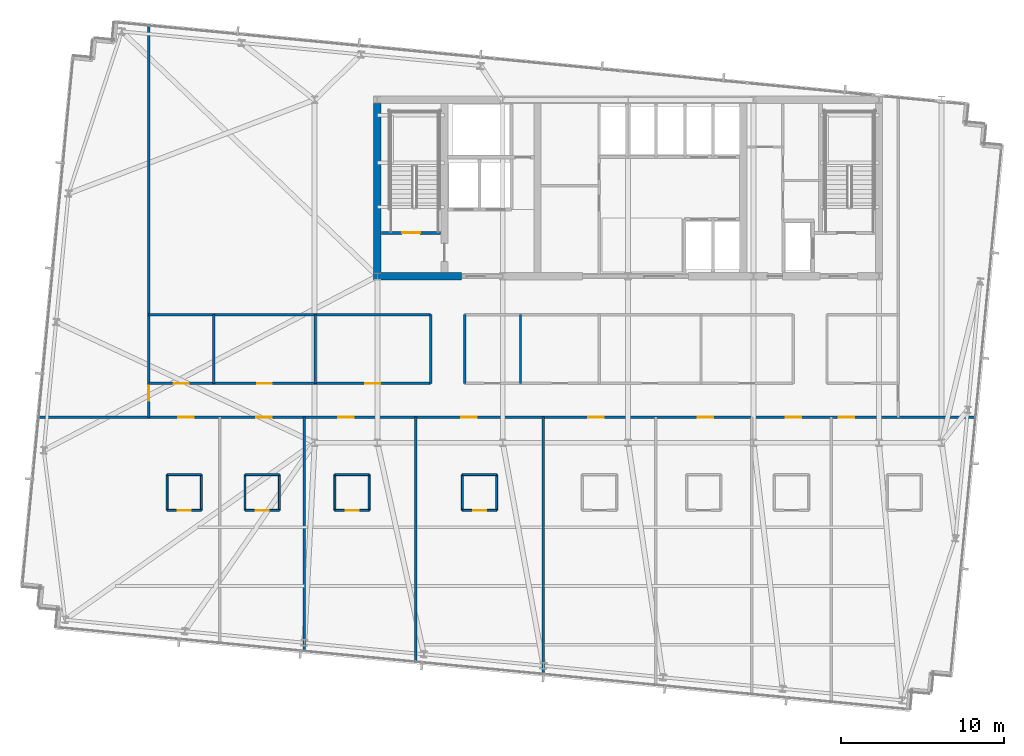
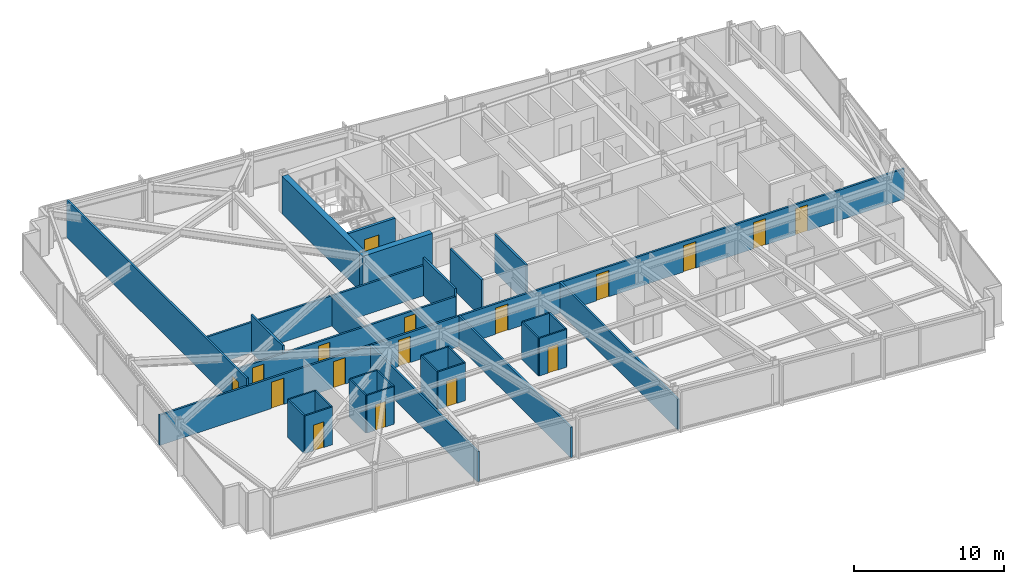
# One storey, part 29 of 38: 31 walls, 17 doors, 17 openings.
"""IFC4 building model written with IfcOpenShell, lengths in metres."""

from ifc_helpers import new_model, si_unit, direction, frame, frame_2d, origin, place, context, subcontext, project, spatial, rectangle, extrude, material, layer, layer_set, type_object, element, fill, save


model = new_model("IFC4")

# Units and contexts
model_context = context("Model", 3, precision=1e-05, world=origin(), true_north=direction((0.0, 1.0)))
body_context = subcontext(model_context, "Body", "Model", "MODEL_VIEW")
ifc_project = project(units=[si_unit("LENGTHUNIT", "METRE"), si_unit("AREAUNIT", "SQUARE_METRE"), si_unit("VOLUMEUNIT", "CUBIC_METRE"), si_unit("PLANEANGLEUNIT", "RADIAN"), si_unit("MASSUNIT", "GRAM", prefix="KILO")], contexts=[model_context])

# Site, building, storey
site_placement = place(None, origin())
site = spatial("IfcSite", under=ifc_project, at=site_placement, CompositionType="ELEMENT")
building_placement = place(site_placement, origin())
building = spatial("IfcBuilding", under=site, at=building_placement, Name="Yelkora Congress Tower", CompositionType="ELEMENT")
storey_placement = place(building_placement, frame((0.0, 0.0, 172.10009765625)))
storey = spatial("IfcBuildingStorey", under=building, at=storey_placement, Name="L47", CompositionType="ELEMENT", Elevation=172.10009765625)

# Walls
ifc_material_1 = material(Name="Concrete C60/75", Category="concrete")
ifc_layer_1 = layer(ifc_material_1, 0.449951171875)
ifc_layer_set_1 = layer_set([ifc_layer_1], Name="Concrete C60/75")
wall_type_1 = type_object("IfcWallType", Name="WALL-CORE-INT-450", PredefinedType="SHEAR", material=ifc_layer_set_1)
wall_1_placement = place(storey_placement, frame((22.81494140625, 35.39990234375, 0.0), z_axis=(0.0, 0.0, 1.0), x_axis=(1.0, 0.0, 0.0)))
element("IfcWall", 1, at=wall_1_placement, inside=storey, type_object=wall_type_1, Name="L47 Rear Core South-West Shear Wall", PredefinedType="SHEAR", context=body_context, shape_type="SweptSolid", body=[
    extrude(rectangle(XDim=5.385009765625, YDim=0.449951171875, at=frame_2d((2.6923828125, 0.0))), origin(), (0.0, 0.0, 1.0), 3.079833984375),
])
wall_2_placement = place(storey_placement, frame((23.0400390625, 35.625, 0.0), z_axis=(0.0, 0.0, 1.0), x_axis=(0.0, 1.0, 0.0)))
element("IfcWall", 2, at=wall_2_placement, inside=storey, type_object=wall_type_1, Name="L47 Rear Core Cross Shear Wall W", PredefinedType="SHEAR", context=body_context, shape_type="SweptSolid", body=[
    extrude(rectangle(XDim=10.35009765625, YDim=0.449951171875, at=frame_2d((5.175048828125, 0.0))), origin(), (0.0, 0.0, 1.0), 3.079833984375),
])
ifc_material_2 = material(Name="Moisture-resistant gypsum partition", Category="gypsum")
ifc_layer_2 = layer(ifc_material_2, 0.1201171875)
ifc_layer_set_2 = layer_set([ifc_layer_2], Name="Moisture-resistant gypsum partition")
wall_type_2 = type_object("IfcWallType", Name="WALL-INT-120-NR", PredefinedType="PARTITIONING", material=ifc_layer_set_2)
wall_3_placement = place(storey_placement, frame((10.1630859375, 23.25, 0.0), z_axis=(0.0, 0.0, 1.0), x_axis=(1.0, 0.0, 0.0)))
element("IfcWall", 3, at=wall_3_placement, inside=storey, type_object=wall_type_2, Name="L47 Partition Wall 27", PredefinedType="PARTITIONING", context=body_context, shape_type="SweptSolid", body=[
    extrude(rectangle(XDim=2.099853515625, YDim=0.1201171875, at=frame_2d((1.0498046875, 0.0))), origin(), (0.0, 0.0, 1.0), 3.079833984375),
])
for number, where, z_axis, x_axis, name in (
    (4, (10.1630859375, 21.050048828125, 0.0), (0.0, 0.0, 1.0), (0.0, 1.0, 0.0), "L47 Partition Wall 28"),
    (5, (12.262939453125, 21.050048828125, 0.0), (0.0, 0.0, 1.0), (0.0, 1.0, 0.0), "L47 Partition Wall 29"),
):
    element("IfcWall", number, at=place(storey_placement, frame(where, z_axis=z_axis, x_axis=x_axis)), inside=storey, type_object=wall_type_2, Name=name, PredefinedType="PARTITIONING", context=body_context, shape_type="SweptSolid", body=[
        extrude(rectangle(XDim=2.199951171875, YDim=0.1201171875, at=frame_2d((1.10009765625, 0.0))), origin(), (0.0, 0.0, 1.0), 3.079833984375),
    ])

# Wall, opening, door
wall_4_placement = place(storey_placement, frame((10.1630859375, 21.050048828125, 0.0), z_axis=(0.0, 0.0, 1.0), x_axis=(1.0, 0.0, 0.0)))
wall_4 = element("IfcWall", 6, at=wall_4_placement, inside=storey, type_object=wall_type_2, Name="L47 Partition Wall 30", PredefinedType="PARTITIONING", context=body_context, shape_type="SweptSolid", body=[
    extrude(rectangle(XDim=2.099853515625, YDim=0.1201171875, at=frame_2d((1.0498046875, 0.0))), origin(), (0.0, 0.0, 1.0), 3.079833984375),
])
opening_1_placement = place(wall_4_placement, frame((0.64990234375, 0.0, 0.0)))
opening_1 = element("IfcOpeningElement", 7, at=opening_1_placement, cuts=wall_4, Name="Opening DR-080B", PredefinedType="OPENING", context=body_context, shape_type="SweptSolid", body=[
    extrude(rectangle(XDim=0.800048828125, YDim=2.10009765625, at=frame_2d((0.39990234375, 1.050048828125))), frame((0.0, 0.070068359375, 0.0), z_axis=(0.0, -1.0, 0.0), x_axis=(1.0, 0.0, 0.0)), (0.0, 0.0, 1.0), 0.14013671875),
])
ifc_material_3 = material(Name="Moisture-sealed en-suite timber door", Category="wood")
door_type_1 = type_object("IfcDoorType", Name="DOOR-BATH-800", OperationType="NOTDEFINED", PredefinedType="DOOR", material=ifc_material_3)
door_1_placement = place(opening_1_placement, origin())
door_1 = element("IfcDoor", 8, at=door_1_placement, inside=storey, type_object=door_type_1, Name="L47 En-suite Door 1", OperationType="SINGLE_SWING_LEFT", OverallHeight=2.10009765625, OverallWidth=0.800048828125, PredefinedType="DOOR", context=body_context, shape_type="SweptSolid", body=[
    extrude(rectangle(XDim=0.800048828125, YDim=2.10009765625, at=frame_2d((0.39990234375, 1.050048828125))), frame((0.0, 0.02490234375, 0.0), z_axis=(0.0, -1.0, 0.0), x_axis=(1.0, 0.0, 0.0)), (0.0, 0.0, 1.0), 0.050048828125),
])
fill(opening_1, door_1)

# Walls
wall_5_placement = place(storey_placement, frame((14.931884765625, 23.25, 0.0), z_axis=(0.0, 0.0, 1.0), x_axis=(1.0, 0.0, 0.0)))
element("IfcWall", 9, at=wall_5_placement, inside=storey, type_object=wall_type_2, Name="L47 Partition Wall 31", PredefinedType="PARTITIONING", context=body_context, shape_type="SweptSolid", body=[
    extrude(rectangle(XDim=2.10009765625, YDim=0.1201171875, at=frame_2d((1.050048828125, 0.0))), origin(), (0.0, 0.0, 1.0), 3.079833984375),
])
for number, where, z_axis, x_axis, name in (
    (10, (14.931884765625, 21.050048828125, 0.0), (0.0, 0.0, 1.0), (0.0, 1.0, 0.0), "L47 Partition Wall 32"),
    (11, (17.031982421875, 21.050048828125, 0.0), (0.0, 0.0, 1.0), (0.0, 1.0, 0.0), "L47 Partition Wall 33"),
):
    element("IfcWall", number, at=place(storey_placement, frame(where, z_axis=z_axis, x_axis=x_axis)), inside=storey, type_object=wall_type_2, Name=name, PredefinedType="PARTITIONING", context=body_context, shape_type="SweptSolid", body=[
        extrude(rectangle(XDim=2.199951171875, YDim=0.1201171875, at=frame_2d((1.10009765625, 0.0))), origin(), (0.0, 0.0, 1.0), 3.079833984375),
    ])

# Wall, opening, door
wall_6_placement = place(storey_placement, frame((14.931884765625, 21.050048828125, 0.0), z_axis=(0.0, 0.0, 1.0), x_axis=(1.0, 0.0, 0.0)))
wall_6 = element("IfcWall", 12, at=wall_6_placement, inside=storey, type_object=wall_type_2, Name="L47 Partition Wall 34", PredefinedType="PARTITIONING", context=body_context, shape_type="SweptSolid", body=[
    extrude(rectangle(XDim=2.10009765625, YDim=0.1201171875, at=frame_2d((1.050048828125, 0.0))), origin(), (0.0, 0.0, 1.0), 3.079833984375),
])
opening_2_placement = place(wall_6_placement, frame((0.64990234375, 0.0, 0.0)))
opening_2 = element("IfcOpeningElement", 13, at=opening_2_placement, cuts=wall_6, Name="Opening DR-080B", PredefinedType="OPENING", context=body_context, shape_type="SweptSolid", body=[
    extrude(rectangle(XDim=0.800048828125, YDim=2.10009765625, at=frame_2d((0.39990234375, 1.050048828125))), frame((0.0, 0.070068359375, 0.0), z_axis=(0.0, -1.0, 0.0), x_axis=(1.0, 0.0, 0.0)), (0.0, 0.0, 1.0), 0.14013671875),
])
door_2_placement = place(opening_2_placement, origin())
door_2 = element("IfcDoor", 14, at=door_2_placement, inside=storey, type_object=door_type_1, Name="L47 En-suite Door 2", OperationType="SINGLE_SWING_RIGHT", OverallHeight=2.10009765625, OverallWidth=0.800048828125, PredefinedType="DOOR", context=body_context, shape_type="SweptSolid", body=[
    extrude(rectangle(XDim=0.800048828125, YDim=2.10009765625, at=frame_2d((0.39990234375, 1.050048828125))), frame((0.0, 0.02490234375, 0.0), z_axis=(0.0, -1.0, 0.0), x_axis=(1.0, 0.0, 0.0)), (0.0, 0.0, 1.0), 0.050048828125),
])
fill(opening_2, door_2)

# Walls
wall_7_placement = place(storey_placement, frame((20.43994140625, 23.25, 0.0), z_axis=(0.0, 0.0, 1.0), x_axis=(1.0, 0.0, 0.0)))
element("IfcWall", 15, at=wall_7_placement, inside=storey, type_object=wall_type_2, Name="L47 Partition Wall 36", PredefinedType="PARTITIONING", context=body_context, shape_type="SweptSolid", body=[
    extrude(rectangle(XDim=2.10009765625, YDim=0.1201171875, at=frame_2d((1.050048828125, 0.0))), origin(), (0.0, 0.0, 1.0), 3.079833984375),
])
for number, where, z_axis, x_axis, name in (
    (16, (20.43994140625, 21.050048828125, 0.0), (0.0, 0.0, 1.0), (0.0, 1.0, 0.0), "L47 Partition Wall 37"),
    (17, (22.5400390625, 21.050048828125, 0.0), (0.0, 0.0, 1.0), (0.0, 1.0, 0.0), "L47 Partition Wall 38"),
):
    element("IfcWall", number, at=place(storey_placement, frame(where, z_axis=z_axis, x_axis=x_axis)), inside=storey, type_object=wall_type_2, Name=name, PredefinedType="PARTITIONING", context=body_context, shape_type="SweptSolid", body=[
        extrude(rectangle(XDim=2.199951171875, YDim=0.1201171875, at=frame_2d((1.10009765625, 0.0))), origin(), (0.0, 0.0, 1.0), 3.079833984375),
    ])

# Wall, opening, door
wall_8_placement = place(storey_placement, frame((20.43994140625, 21.050048828125, 0.0), z_axis=(0.0, 0.0, 1.0), x_axis=(1.0, 0.0, 0.0)))
wall_8 = element("IfcWall", 18, at=wall_8_placement, inside=storey, type_object=wall_type_2, Name="L47 Partition Wall 39", PredefinedType="PARTITIONING", context=body_context, shape_type="SweptSolid", body=[
    extrude(rectangle(XDim=2.10009765625, YDim=0.1201171875, at=frame_2d((1.050048828125, 0.0))), origin(), (0.0, 0.0, 1.0), 3.079833984375),
])
opening_3_placement = place(wall_8_placement, frame((0.64990234375, 0.0, 0.0)))
opening_3 = element("IfcOpeningElement", 19, at=opening_3_placement, cuts=wall_8, Name="Opening DR-080B", PredefinedType="OPENING", context=body_context, shape_type="SweptSolid", body=[
    extrude(rectangle(XDim=0.800048828125, YDim=2.10009765625, at=frame_2d((0.39990234375, 1.050048828125))), frame((0.0, 0.070068359375, 0.0), z_axis=(0.0, -1.0, 0.0), x_axis=(1.0, 0.0, 0.0)), (0.0, 0.0, 1.0), 0.14013671875),
])
door_3_placement = place(opening_3_placement, origin())
door_3 = element("IfcDoor", 20, at=door_3_placement, inside=storey, type_object=door_type_1, Name="L47 En-suite Door 3", OperationType="SINGLE_SWING_LEFT", OverallHeight=2.10009765625, OverallWidth=0.800048828125, PredefinedType="DOOR", context=body_context, shape_type="SweptSolid", body=[
    extrude(rectangle(XDim=0.800048828125, YDim=2.10009765625, at=frame_2d((0.39990234375, 1.050048828125))), frame((0.0, 0.02490234375, 0.0), z_axis=(0.0, -1.0, 0.0), x_axis=(1.0, 0.0, 0.0)), (0.0, 0.0, 1.0), 0.050048828125),
])
fill(opening_3, door_3)

# Walls
wall_9_placement = place(storey_placement, frame((28.25, 23.25, 0.0), z_axis=(0.0, 0.0, 1.0), x_axis=(1.0, 0.0, 0.0)))
element("IfcWall", 21, at=wall_9_placement, inside=storey, type_object=wall_type_2, Name="L47 Partition Wall 41", PredefinedType="PARTITIONING", context=body_context, shape_type="SweptSolid", body=[
    extrude(rectangle(XDim=2.10009765625, YDim=0.1201171875, at=frame_2d((1.050048828125, 0.0))), origin(), (0.0, 0.0, 1.0), 3.079833984375),
])
for number, where, z_axis, x_axis, name in (
    (22, (28.25, 21.050048828125, 0.0), (0.0, 0.0, 1.0), (0.0, 1.0, 0.0), "L47 Partition Wall 42"),
    (23, (30.35009765625, 21.050048828125, 0.0), (0.0, 0.0, 1.0), (0.0, 1.0, 0.0), "L47 Partition Wall 43"),
):
    element("IfcWall", number, at=place(storey_placement, frame(where, z_axis=z_axis, x_axis=x_axis)), inside=storey, type_object=wall_type_2, Name=name, PredefinedType="PARTITIONING", context=body_context, shape_type="SweptSolid", body=[
        extrude(rectangle(XDim=2.199951171875, YDim=0.1201171875, at=frame_2d((1.10009765625, 0.0))), origin(), (0.0, 0.0, 1.0), 3.079833984375),
    ])

# Wall, opening, door
wall_10_placement = place(storey_placement, frame((28.25, 21.050048828125, 0.0), z_axis=(0.0, 0.0, 1.0), x_axis=(1.0, 0.0, 0.0)))
wall_10 = element("IfcWall", 24, at=wall_10_placement, inside=storey, type_object=wall_type_2, Name="L47 Partition Wall 44", PredefinedType="PARTITIONING", context=body_context, shape_type="SweptSolid", body=[
    extrude(rectangle(XDim=2.10009765625, YDim=0.1201171875, at=frame_2d((1.050048828125, 0.0))), origin(), (0.0, 0.0, 1.0), 3.079833984375),
])
opening_4_placement = place(wall_10_placement, frame((0.64990234375, 0.0, 0.0)))
opening_4 = element("IfcOpeningElement", 25, at=opening_4_placement, cuts=wall_10, Name="Opening DR-080B", PredefinedType="OPENING", context=body_context, shape_type="SweptSolid", body=[
    extrude(rectangle(XDim=0.800048828125, YDim=2.10009765625, at=frame_2d((0.39990234375, 1.050048828125))), frame((0.0, 0.070068359375, 0.0), z_axis=(0.0, -1.0, 0.0), x_axis=(1.0, 0.0, 0.0)), (0.0, 0.0, 1.0), 0.14013671875),
])
door_4_placement = place(opening_4_placement, origin())
door_4 = element("IfcDoor", 26, at=door_4_placement, inside=storey, type_object=door_type_1, Name="L47 En-suite Door 4", OperationType="SINGLE_SWING_RIGHT", OverallHeight=2.10009765625, OverallWidth=0.800048828125, PredefinedType="DOOR", context=body_context, shape_type="SweptSolid", body=[
    extrude(rectangle(XDim=0.800048828125, YDim=2.10009765625, at=frame_2d((0.39990234375, 1.050048828125))), frame((0.0, 0.02490234375, 0.0), z_axis=(0.0, -1.0, 0.0), x_axis=(1.0, 0.0, 0.0)), (0.0, 0.0, 1.0), 0.050048828125),
])
fill(opening_4, door_4)

ifc_material_4 = material(Name="Acoustic metal-stud gypsum partition", Category="gypsum")
ifc_layer_3 = layer(ifc_material_4, 0.14990234375)
ifc_layer_set_3 = layer_set([ifc_layer_3], Name="Acoustic metal-stud gypsum partition")
wall_type_3 = type_object("IfcWallType", Name="WALL-INT-150-NR", PredefinedType="PARTITIONING", material=ifc_layer_set_3)
wall_11_placement = place(storey_placement, frame((9.029052734375, 26.75, 0.0), z_axis=(0.0, 0.0, 1.0), x_axis=(0.0, 1.0, 0.0)))
wall_11 = element("IfcWall", 27, at=wall_11_placement, inside=storey, type_object=wall_type_3, Name="L47 Partition Wall 67", PredefinedType="PARTITIONING", context=body_context, shape_type="SweptSolid", body=[
    extrude(rectangle(XDim=24.055419921875, YDim=0.14990234375, at=frame_2d((12.02783203125, 0.0))), origin(), (0.0, 0.0, 1.0), 3.079833984375),
])
opening_5_placement = place(wall_11_placement, frame((1.030029296875, 0.0, 0.0)))
opening_5 = element("IfcOpeningElement", 28, at=opening_5_placement, cuts=wall_11, Name="Opening DR-090N", PredefinedType="OPENING", context=body_context, shape_type="SweptSolid", body=[
    extrude(rectangle(XDim=0.89990234375, YDim=2.14990234375, at=frame_2d((0.449951171875, 1.074951171875))), frame((0.0, 0.0849609375, 0.0), z_axis=(0.0, -1.0, 0.0), x_axis=(1.0, 0.0, 0.0)), (0.0, 0.0, 1.0), 0.169921875),
])
ifc_material_5 = material(Name="Moisture-resistant laminate door leaf", Category="wood")
door_type_2 = type_object("IfcDoorType", Name="DOOR-INT-900", OperationType="NOTDEFINED", PredefinedType="DOOR", material=ifc_material_5)
door_5_placement = place(opening_5_placement, origin())
door_5 = element("IfcDoor", 29, at=door_5_placement, inside=storey, type_object=door_type_2, Name="L47 W Wing Door", OperationType="SINGLE_SWING_LEFT", OverallHeight=2.14990234375, OverallWidth=0.89990234375, PredefinedType="DOOR", context=body_context, shape_type="SweptSolid", body=[
    extrude(rectangle(XDim=0.89990234375, YDim=2.14990234375, at=frame_2d((0.449951171875, 1.074951171875))), frame((0.0, 0.02490234375, 0.0), z_axis=(0.0, -1.0, 0.0), x_axis=(1.0, 0.0, 0.0)), (0.0, 0.0, 1.0), 0.050048828125),
])
fill(opening_5, door_5)

# Walls
for number, where, z_axis, x_axis, name in (
    (30, (26.300048828125, 28.830078125, 0.0), (0.0, 0.0, 1.0), (0.0, 1.0, 0.0), "L47 Partition Wall 69"),
    (31, (28.3798828125, 28.830078125, 0.0), (0.0, 0.0, 1.0), (0.0, 1.0, 0.0), "L47 Partition Wall 70"),
):
    element("IfcWall", number, at=place(storey_placement, frame(where, z_axis=z_axis, x_axis=x_axis)), inside=storey, type_object=wall_type_3, Name=name, PredefinedType="PARTITIONING", context=body_context, shape_type="SweptSolid", body=[
        extrude(rectangle(XDim=4.219970703125, YDim=0.14990234375, at=frame_2d((2.10986328125, 0.0))), origin(), (0.0, 0.0, 1.0), 3.079833984375),
    ])
wall_12_placement = place(storey_placement, frame((9.029052734375, 33.050048828125, 0.0), z_axis=(0.0, 0.0, 1.0), x_axis=(1.0, 0.0, 0.0)))
element("IfcWall", 32, at=wall_12_placement, inside=storey, type_object=wall_type_3, Name="L47 Partition Wall 73", PredefinedType="PARTITIONING", context=body_context, shape_type="SweptSolid", body=[
    extrude(rectangle(XDim=17.27099609375, YDim=0.14990234375, at=frame_2d((8.635498046875, 0.0))), origin(), (0.0, 0.0, 1.0), 2.474853515625),
])
wall_13_placement = place(storey_placement, frame((13.013916015625, 28.830078125, 0.0), z_axis=(0.0, 0.0, 1.0), x_axis=(0.0, 1.0, 0.0)))
element("IfcWall", 33, at=wall_13_placement, inside=storey, type_object=wall_type_3, Name="L47 Partition Wall 76", PredefinedType="PARTITIONING", context=body_context, shape_type="SweptSolid", body=[
    extrude(rectangle(XDim=4.219970703125, YDim=0.14990234375, at=frame_2d((2.10986328125, 0.0))), origin(), (0.0, 0.0, 1.0), 3.079833984375),
])
wall_14_placement = place(storey_placement, frame((19.220947265625, 28.830078125, 0.0), z_axis=(0.0, 0.0, 1.0), x_axis=(0.0, 1.0, 0.0)))
element("IfcWall", 34, at=wall_14_placement, inside=storey, type_object=wall_type_3, Name="L47 Partition Wall 77", PredefinedType="PARTITIONING", context=body_context, shape_type="SweptSolid", body=[
    extrude(rectangle(XDim=4.219970703125, YDim=0.14990234375, at=frame_2d((2.10986328125, 0.0))), origin(), (0.0, 0.0, 1.0), 2.474853515625),
])

# Wall, openings, doors
wall_15_placement = place(storey_placement, frame((9.049072265625, 28.830078125, 0.0), z_axis=(0.0, 0.0, 1.0), x_axis=(1.0, 0.0, 0.0)))
wall_15 = element("IfcWall", 35, at=wall_15_placement, inside=storey, type_object=wall_type_3, Name="L47 Partition Wall 78", PredefinedType="PARTITIONING", context=body_context, shape_type="SweptSolid", body=[
    extrude(rectangle(XDim=17.240966796875, YDim=0.14990234375, at=frame_2d((8.62060546875, 0.0))), origin(), (0.0, 0.0, 1.0), 2.474853515625),
])
opening_6_placement = place(wall_15_placement, frame((1.532470703125, 0.0, 0.0)))
opening_6 = element("IfcOpeningElement", 36, at=opening_6_placement, cuts=wall_15, Name="Opening DR-090N", PredefinedType="OPENING", context=body_context, shape_type="SweptSolid", body=[
    extrude(rectangle(XDim=0.89990234375, YDim=2.14990234375, at=frame_2d((0.449951171875, 1.074951171875))), frame((0.0, 0.0849609375, 0.0), z_axis=(0.0, -1.0, 0.0), x_axis=(1.0, 0.0, 0.0)), (0.0, 0.0, 1.0), 0.169921875),
])
opening_7_placement = place(wall_15_placement, frame((6.618408203125, 0.0, 0.0)))
opening_7 = element("IfcOpeningElement", 37, at=opening_7_placement, cuts=wall_15, Name="Opening DR-090N", PredefinedType="OPENING", context=body_context, shape_type="SweptSolid", body=[
    extrude(rectangle(XDim=0.89990234375, YDim=2.14990234375, at=frame_2d((0.449951171875, 1.074951171875))), frame((0.0, 0.0849609375, 0.0), z_axis=(0.0, -1.0, 0.0), x_axis=(1.0, 0.0, 0.0)), (0.0, 0.0, 1.0), 0.169921875),
])
opening_8_placement = place(wall_15_placement, frame((13.256591796875, 0.0, 0.0)))
opening_8 = element("IfcOpeningElement", 38, at=opening_8_placement, cuts=wall_15, Name="Opening DR-090N", PredefinedType="OPENING", context=body_context, shape_type="SweptSolid", body=[
    extrude(rectangle(XDim=0.89990234375, YDim=2.14990234375, at=frame_2d((0.449951171875, 1.074951171875))), frame((0.0, 0.0849609375, 0.0), z_axis=(0.0, -1.0, 0.0), x_axis=(1.0, 0.0, 0.0)), (0.0, 0.0, 1.0), 0.169921875),
])
door_6_placement = place(opening_6_placement, origin())
door_6 = element("IfcDoor", 39, at=door_6_placement, inside=storey, type_object=door_type_2, Name="L47 Housekeeping & Linen Room Door", OperationType="SINGLE_SWING_LEFT", OverallHeight=2.14990234375, OverallWidth=0.89990234375, PredefinedType="DOOR", context=body_context, shape_type="SweptSolid", body=[
    extrude(rectangle(XDim=0.89990234375, YDim=2.14990234375, at=frame_2d((0.449951171875, 1.074951171875))), frame((0.0, 0.02490234375, 0.0), z_axis=(0.0, -1.0, 0.0), x_axis=(1.0, 0.0, 0.0)), (0.0, 0.0, 1.0), 0.050048828125),
])
fill(opening_6, door_6)
door_7_placement = place(opening_7_placement, origin())
door_7 = element("IfcDoor", 40, at=door_7_placement, inside=storey, type_object=door_type_2, Name="L47 Executive Library Door", OperationType="SINGLE_SWING_RIGHT", OverallHeight=2.14990234375, OverallWidth=0.89990234375, PredefinedType="DOOR", context=body_context, shape_type="SweptSolid", body=[
    extrude(rectangle(XDim=0.89990234375, YDim=2.14990234375, at=frame_2d((0.449951171875, 1.074951171875))), frame((0.0, 0.02490234375, 0.0), z_axis=(0.0, -1.0, 0.0), x_axis=(1.0, 0.0, 0.0)), (0.0, 0.0, 1.0), 0.050048828125),
])
fill(opening_7, door_7)
door_8_placement = place(opening_8_placement, origin())
door_8 = element("IfcDoor", 41, at=door_8_placement, inside=storey, type_object=door_type_2, Name="L47 Delegate Kiosk Door", OperationType="SINGLE_SWING_LEFT", OverallHeight=2.14990234375, OverallWidth=0.89990234375, PredefinedType="DOOR", context=body_context, shape_type="SweptSolid", body=[
    extrude(rectangle(XDim=0.89990234375, YDim=2.14990234375, at=frame_2d((0.449951171875, 1.074951171875))), frame((0.0, 0.02490234375, 0.0), z_axis=(0.0, -1.0, 0.0), x_axis=(1.0, 0.0, 0.0)), (0.0, 0.0, 1.0), 0.050048828125),
])
fill(opening_8, door_8)

# Walls
wall_16_placement = place(storey_placement, frame((31.806884765625, 28.830078125, 0.0), z_axis=(0.0, 0.0, 1.0), x_axis=(0.0, 1.0, 0.0)))
element("IfcWall", 42, at=wall_16_placement, inside=storey, type_object=wall_type_3, Name="L47 Partition Wall 79", PredefinedType="PARTITIONING", context=body_context, shape_type="SweptSolid", body=[
    extrude(rectangle(XDim=4.219970703125, YDim=0.14990234375, at=frame_2d((2.10986328125, 0.0))), origin(), (0.0, 0.0, 1.0), 3.079833984375),
])
ifc_material_6 = material(Name="Twin-stud fire-rated gypsum partition", Category="gypsum")
ifc_layer_4 = layer(ifc_material_6, 0.14990234375)
ifc_layer_set_4 = layer_set([ifc_layer_4], Name="Twin-stud fire-rated gypsum partition")
wall_type_4 = type_object("IfcWallType", Name="WALL-INT-150-R60", PredefinedType="PARTITIONING", material=ifc_layer_set_4)
wall_17_placement = place(storey_placement, frame((18.56591796875, 12.374267578125, 0.0), z_axis=(0.0, 0.0, 1.0), x_axis=(0.0, 1.0, 0.0)))
element("IfcWall", 43, at=wall_17_placement, inside=storey, type_object=wall_type_4, Name="L47 Partition Wall 40", PredefinedType="PARTITIONING", context=body_context, shape_type="SweptSolid", body=[
    extrude(rectangle(XDim=14.395751953125, YDim=0.14990234375, at=frame_2d((7.19775390625, 0.0))), origin(), (0.0, 0.0, 1.0), 2.474853515625),
])
wall_18_placement = place(storey_placement, frame((25.387939453125, 11.71728515625, 0.0), z_axis=(0.0, 0.0, 1.0), x_axis=(0.0, 1.0, 0.0)))
element("IfcWall", 44, at=wall_18_placement, inside=storey, type_object=wall_type_4, Name="L47 Partition Wall 45", PredefinedType="PARTITIONING", context=body_context, shape_type="SweptSolid", body=[
    extrude(rectangle(XDim=15.052734375, YDim=0.14990234375, at=frame_2d((7.5263671875, 0.0))), origin(), (0.0, 0.0, 1.0), 2.474853515625),
])
wall_19_placement = place(storey_placement, frame((33.2119140625, 10.964111328125, 0.0), z_axis=(0.0, 0.0, 1.0), x_axis=(0.0, 1.0, 0.0)))
element("IfcWall", 45, at=wall_19_placement, inside=storey, type_object=wall_type_4, Name="L47 Partition Wall 50", PredefinedType="PARTITIONING", context=body_context, shape_type="SweptSolid", body=[
    extrude(rectangle(XDim=15.805908203125, YDim=0.14990234375, at=frame_2d((7.90283203125, 0.0))), origin(), (0.0, 0.0, 1.0), 2.474853515625),
])

# Wall, openings, doors
wall_20_placement = place(storey_placement, frame((2.229248046875, 26.75, 0.0), z_axis=(0.0, 0.0, 1.0), x_axis=(1.0, 0.0, 0.0)))
wall_20 = element("IfcWall", 46, at=wall_20_placement, inside=storey, type_object=wall_type_4, Name="L47 South Spine Wall", PredefinedType="PARTITIONING", context=body_context, shape_type="SweptSolid", body=[
    extrude(rectangle(XDim=57.504638671875, YDim=0.14990234375, at=frame_2d((28.75244140625, 0.0))), origin(), (0.0, 0.0, 1.0), 2.474853515625),
])
opening_9_placement = place(wall_20_placement, frame((8.624267578125, 0.0, 0.0)))
opening_9 = element("IfcOpeningElement", 47, at=opening_9_placement, cuts=wall_20, Name="Opening DR-095F6", PredefinedType="OPENING", context=body_context, shape_type="SweptSolid", body=[
    extrude(rectangle(XDim=0.949951171875, YDim=2.14990234375, at=frame_2d((0.47509765625, 1.074951171875))), frame((0.0, 0.0849609375, 0.0), z_axis=(0.0, -1.0, 0.0), x_axis=(1.0, 0.0, 0.0)), (0.0, 0.0, 1.0), 0.169921875),
])
opening_10_placement = place(wall_20_placement, frame((13.392822265625, 0.0, 0.0)))
opening_10 = element("IfcOpeningElement", 48, at=opening_10_placement, cuts=wall_20, Name="Opening DR-095F6", PredefinedType="OPENING", context=body_context, shape_type="SweptSolid", body=[
    extrude(rectangle(XDim=0.949951171875, YDim=2.14990234375, at=frame_2d((0.47509765625, 1.074951171875))), frame((0.0, 0.0849609375, 0.0), z_axis=(0.0, -1.0, 0.0), x_axis=(1.0, 0.0, 0.0)), (0.0, 0.0, 1.0), 0.169921875),
])
opening_11_placement = place(wall_20_placement, frame((18.412353515625, 0.0, 0.0)))
opening_11 = element("IfcOpeningElement", 49, at=opening_11_placement, cuts=wall_20, Name="Opening DR-095F6", PredefinedType="OPENING", context=body_context, shape_type="SweptSolid", body=[
    extrude(rectangle(XDim=0.949951171875, YDim=2.14990234375, at=frame_2d((0.47509765625, 1.074951171875))), frame((0.0, 0.0849609375, 0.0), z_axis=(0.0, -1.0, 0.0), x_axis=(1.0, 0.0, 0.0)), (0.0, 0.0, 1.0), 0.169921875),
])
opening_12_placement = place(wall_20_placement, frame((25.935302734375, 0.0, 0.0)))
opening_12 = element("IfcOpeningElement", 50, at=opening_12_placement, cuts=wall_20, Name="Opening DR-095F6", PredefinedType="OPENING", context=body_context, shape_type="SweptSolid", body=[
    extrude(rectangle(XDim=0.949951171875, YDim=2.14990234375, at=frame_2d((0.47509765625, 1.074951171875))), frame((0.0, 0.0849609375, 0.0), z_axis=(0.0, -1.0, 0.0), x_axis=(1.0, 0.0, 0.0)), (0.0, 0.0, 1.0), 0.169921875),
])
opening_13_placement = place(wall_20_placement, frame((33.733154296875, 0.0, 0.0)))
opening_13 = element("IfcOpeningElement", 51, at=opening_13_placement, cuts=wall_20, Name="Opening DR-095F6", PredefinedType="OPENING", context=body_context, shape_type="SweptSolid", body=[
    extrude(rectangle(XDim=0.949951171875, YDim=2.14990234375, at=frame_2d((0.47509765625, 1.074951171875))), frame((0.0, 0.0849609375, 0.0), z_axis=(0.0, -1.0, 0.0), x_axis=(1.0, 0.0, 0.0)), (0.0, 0.0, 1.0), 0.169921875),
])
opening_14_placement = place(wall_20_placement, frame((40.44140625, 0.0, 0.0)))
opening_14 = element("IfcOpeningElement", 52, at=opening_14_placement, cuts=wall_20, Name="Opening DR-095F6", PredefinedType="OPENING", context=body_context, shape_type="SweptSolid", body=[
    extrude(rectangle(XDim=0.949951171875, YDim=2.14990234375, at=frame_2d((0.47509765625, 1.074951171875))), frame((0.0, 0.0849609375, 0.0), z_axis=(0.0, -1.0, 0.0), x_axis=(1.0, 0.0, 0.0)), (0.0, 0.0, 1.0), 0.169921875),
])
opening_15_placement = place(wall_20_placement, frame((45.822265625, 0.0, 0.0)))
opening_15 = element("IfcOpeningElement", 53, at=opening_15_placement, cuts=wall_20, Name="Opening DR-095F6", PredefinedType="OPENING", context=body_context, shape_type="SweptSolid", body=[
    extrude(rectangle(XDim=0.949951171875, YDim=2.14990234375, at=frame_2d((0.47509765625, 1.074951171875))), frame((0.0, 0.0849609375, 0.0), z_axis=(0.0, -1.0, 0.0), x_axis=(1.0, 0.0, 0.0)), (0.0, 0.0, 1.0), 0.169921875),
])
opening_16_placement = place(wall_20_placement, frame((49.07275390625, 0.0, 0.0)))
opening_16 = element("IfcOpeningElement", 54, at=opening_16_placement, cuts=wall_20, Name="Opening DR-095F6", PredefinedType="OPENING", context=body_context, shape_type="SweptSolid", body=[
    extrude(rectangle(XDim=0.949951171875, YDim=2.14990234375, at=frame_2d((0.47509765625, 1.074951171875))), frame((0.0, 0.0849609375, 0.0), z_axis=(0.0, -1.0, 0.0), x_axis=(1.0, 0.0, 0.0)), (0.0, 0.0, 1.0), 0.169921875),
])
ifc_material_7 = material(Name="Acoustic oak-veneer fire door leaf", Category="wood")
door_type_3 = type_object("IfcDoorType", Name="DOOR-FD60-950", OperationType="NOTDEFINED", PredefinedType="DOOR", material=ifc_material_7)
door_9_placement = place(opening_9_placement, origin())
door_9 = element("IfcDoor", 55, at=door_9_placement, inside=storey, type_object=door_type_3, Name="L47 Diplomatic Suite 01 Entry Door", OperationType="SINGLE_SWING_LEFT", OverallHeight=2.14990234375, OverallWidth=0.949951171875, PredefinedType="DOOR", context=body_context, shape_type="SweptSolid", body=[
    extrude(rectangle(XDim=0.949951171875, YDim=2.14990234375, at=frame_2d((0.47509765625, 1.074951171875))), frame((0.0, 0.02490234375, 0.0), z_axis=(0.0, -1.0, 0.0), x_axis=(1.0, 0.0, 0.0)), (0.0, 0.0, 1.0), 0.050048828125),
])
fill(opening_9, door_9)
door_10_placement = place(opening_10_placement, origin())
door_10 = element("IfcDoor", 56, at=door_10_placement, inside=storey, type_object=door_type_3, Name="L47 Diplomatic Suite 02 Entry Door", OperationType="SINGLE_SWING_RIGHT", OverallHeight=2.14990234375, OverallWidth=0.949951171875, PredefinedType="DOOR", context=body_context, shape_type="SweptSolid", body=[
    extrude(rectangle(XDim=0.949951171875, YDim=2.14990234375, at=frame_2d((0.47509765625, 1.074951171875))), frame((0.0, 0.02490234375, 0.0), z_axis=(0.0, -1.0, 0.0), x_axis=(1.0, 0.0, 0.0)), (0.0, 0.0, 1.0), 0.050048828125),
])
fill(opening_10, door_10)
door_11_placement = place(opening_11_placement, origin())
door_11 = element("IfcDoor", 57, at=door_11_placement, inside=storey, type_object=door_type_3, Name="L47 Diplomatic Suite 03 Entry Door", OperationType="SINGLE_SWING_LEFT", OverallHeight=2.14990234375, OverallWidth=0.949951171875, PredefinedType="DOOR", context=body_context, shape_type="SweptSolid", body=[
    extrude(rectangle(XDim=0.949951171875, YDim=2.14990234375, at=frame_2d((0.47509765625, 1.074951171875))), frame((0.0, 0.02490234375, 0.0), z_axis=(0.0, -1.0, 0.0), x_axis=(1.0, 0.0, 0.0)), (0.0, 0.0, 1.0), 0.050048828125),
])
fill(opening_11, door_11)
door_12_placement = place(opening_12_placement, origin())
door_12 = element("IfcDoor", 58, at=door_12_placement, inside=storey, type_object=door_type_3, Name="L47 Diplomatic Suite 04 Entry Door", OperationType="SINGLE_SWING_RIGHT", OverallHeight=2.14990234375, OverallWidth=0.949951171875, PredefinedType="DOOR", context=body_context, shape_type="SweptSolid", body=[
    extrude(rectangle(XDim=0.949951171875, YDim=2.14990234375, at=frame_2d((0.47509765625, 1.074951171875))), frame((0.0, 0.02490234375, 0.0), z_axis=(0.0, -1.0, 0.0), x_axis=(1.0, 0.0, 0.0)), (0.0, 0.0, 1.0), 0.050048828125),
])
fill(opening_12, door_12)
door_13_placement = place(opening_13_placement, origin())
door_13 = element("IfcDoor", 59, at=door_13_placement, inside=storey, type_object=door_type_3, Name="L47 Diplomatic Suite 05 Entry Door", OperationType="SINGLE_SWING_LEFT", OverallHeight=2.14990234375, OverallWidth=0.949951171875, PredefinedType="DOOR", context=body_context, shape_type="SweptSolid", body=[
    extrude(rectangle(XDim=0.949951171875, YDim=2.14990234375, at=frame_2d((0.47509765625, 1.074951171875))), frame((0.0, 0.02490234375, 0.0), z_axis=(0.0, -1.0, 0.0), x_axis=(1.0, 0.0, 0.0)), (0.0, 0.0, 1.0), 0.050048828125),
])
fill(opening_13, door_13)
door_14_placement = place(opening_14_placement, origin())
door_14 = element("IfcDoor", 60, at=door_14_placement, inside=storey, type_object=door_type_3, Name="L47 Diplomatic Suite 06 Entry Door", OperationType="SINGLE_SWING_RIGHT", OverallHeight=2.14990234375, OverallWidth=0.949951171875, PredefinedType="DOOR", context=body_context, shape_type="SweptSolid", body=[
    extrude(rectangle(XDim=0.949951171875, YDim=2.14990234375, at=frame_2d((0.47509765625, 1.074951171875))), frame((0.0, 0.02490234375, 0.0), z_axis=(0.0, -1.0, 0.0), x_axis=(1.0, 0.0, 0.0)), (0.0, 0.0, 1.0), 0.050048828125),
])
fill(opening_14, door_14)
door_15_placement = place(opening_15_placement, origin())
door_15 = element("IfcDoor", 61, at=door_15_placement, inside=storey, type_object=door_type_3, Name="L47 Diplomatic Suite 07 Entry Door", OperationType="SINGLE_SWING_LEFT", OverallHeight=2.14990234375, OverallWidth=0.949951171875, PredefinedType="DOOR", context=body_context, shape_type="SweptSolid", body=[
    extrude(rectangle(XDim=0.949951171875, YDim=2.14990234375, at=frame_2d((0.47509765625, 1.074951171875))), frame((0.0, 0.02490234375, 0.0), z_axis=(0.0, -1.0, 0.0), x_axis=(1.0, 0.0, 0.0)), (0.0, 0.0, 1.0), 0.050048828125),
])
fill(opening_15, door_15)
door_16_placement = place(opening_16_placement, origin())
door_16 = element("IfcDoor", 62, at=door_16_placement, inside=storey, type_object=door_type_3, Name="L47 Diplomatic Suite 08 Entry Door", OperationType="SINGLE_SWING_RIGHT", OverallHeight=2.14990234375, OverallWidth=0.949951171875, PredefinedType="DOOR", context=body_context, shape_type="SweptSolid", body=[
    extrude(rectangle(XDim=0.949951171875, YDim=2.14990234375, at=frame_2d((0.47509765625, 1.074951171875))), frame((0.0, 0.02490234375, 0.0), z_axis=(0.0, -1.0, 0.0), x_axis=(1.0, 0.0, 0.0)), (0.0, 0.0, 1.0), 0.050048828125),
])
fill(opening_16, door_16)

# Wall, opening, door
ifc_material_8 = material(Name="Autoclaved aerated concrete blockwork", Category="masonry")
ifc_layer_5 = layer(ifc_material_8, 0.199951171875)
ifc_layer_set_5 = layer_set([ifc_layer_5], Name="Autoclaved aerated concrete blockwork")
wall_type_5 = type_object("IfcWallType", Name="WALL-INT-200-R120", PredefinedType="PARTITIONING", material=ifc_layer_set_5)
wall_21_placement = place(storey_placement, frame((23.300048828125, 38.050048828125, 0.0), z_axis=(0.0, 0.0, 1.0), x_axis=(1.0, 0.0, 0.0)))
wall_21 = element("IfcWall", 63, at=wall_21_placement, inside=storey, type_object=wall_type_5, Name="L47 Stair ST-01 Enclosure Wall", PredefinedType="PARTITIONING", context=body_context, shape_type="SweptSolid", body=[
    extrude(rectangle(XDim=3.619873046875, YDim=0.199951171875, at=frame_2d((1.81005859375, 0.0))), origin(), (0.0, 0.0, 1.0), 3.079833984375),
])
opening_17_placement = place(wall_21_placement, frame((1.260009765625, 0.0, 0.0)))
opening_17 = element("IfcOpeningElement", 64, at=opening_17_placement, cuts=wall_21, Name="Opening DR-110F9", PredefinedType="OPENING", context=body_context, shape_type="SweptSolid", body=[
    extrude(rectangle(XDim=1.10009765625, YDim=2.14990234375, at=frame_2d((0.550048828125, 1.074951171875))), frame((0.0, 0.10986328125, 0.0), z_axis=(0.0, -1.0, 0.0), x_axis=(1.0, 0.0, 0.0)), (0.0, 0.0, 1.0), 0.219970703125),
])
ifc_material_9 = material(Name="Galvanised steel fire door leaf", Category="steel")
door_type_4 = type_object("IfcDoorType", Name="DOOR-FD90-1100", OperationType="NOTDEFINED", PredefinedType="DOOR", material=ifc_material_9)
door_17_placement = place(opening_17_placement, origin())
door_17 = element("IfcDoor", 65, at=door_17_placement, inside=storey, type_object=door_type_4, Name="L47 Stair ST-01 Entry Door", OperationType="SINGLE_SWING_LEFT", OverallHeight=2.14990234375, OverallWidth=1.10009765625, PredefinedType="DOOR", context=body_context, shape_type="SweptSolid", body=[
    extrude(rectangle(XDim=1.10009765625, YDim=2.14990234375, at=frame_2d((0.550048828125, 1.074951171875))), frame((0.0, 0.02490234375, 0.0), z_axis=(0.0, -1.0, 0.0), x_axis=(1.0, 0.0, 0.0)), (0.0, 0.0, 1.0), 0.050048828125),
])
fill(opening_17, door_17)

save(model, "model.ifc")
